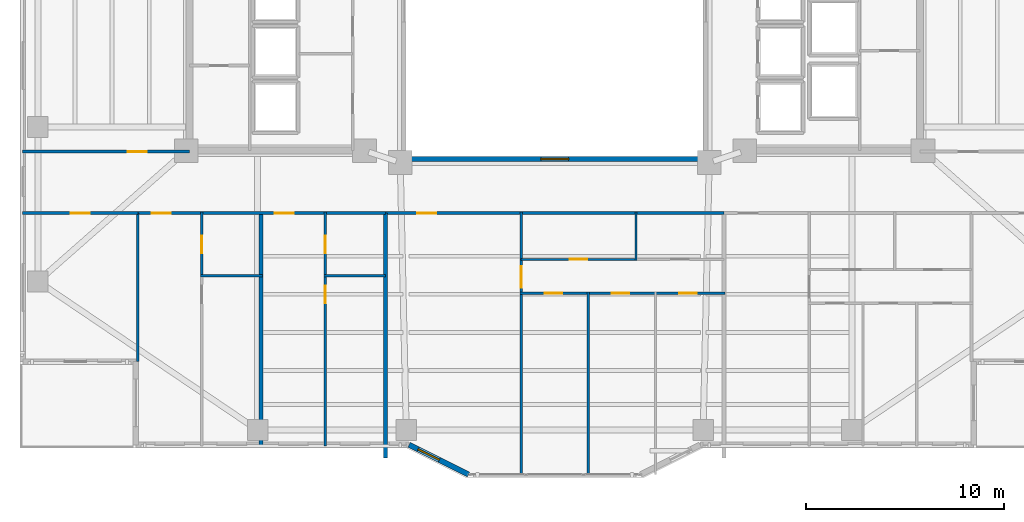
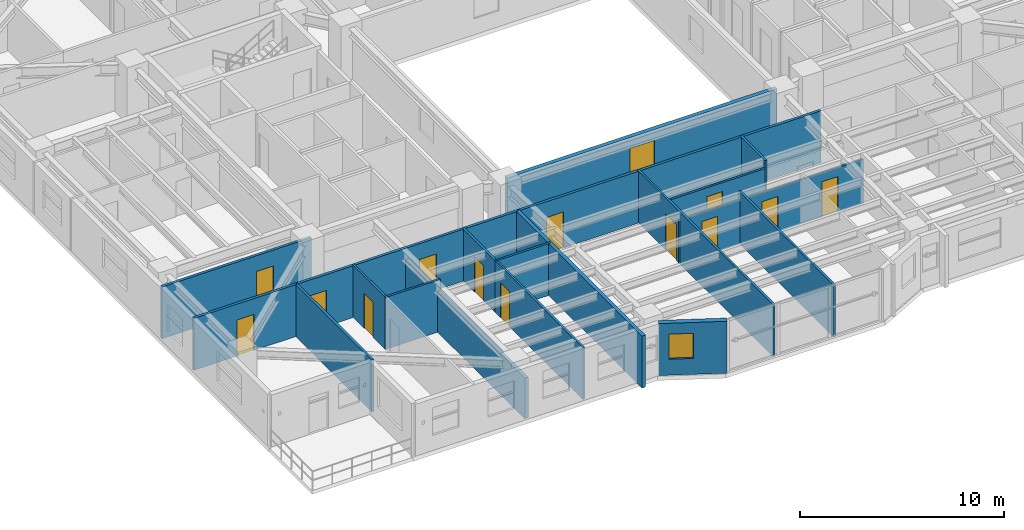
# One storey, part 6 of 19: 19 walls, 13 doors, 2 windows, 15 openings.
"""IFC4 building model written with IfcOpenShell, lengths in metres."""

from ifc_helpers import new_model, si_unit, direction, frame, frame_2d, origin, place, context, subcontext, project, spatial, rectangle, extrude, material, layer, layer_set, type_object, element, fill, save


model = new_model("IFC4")

# Units and contexts
model_context = context("Model", 3, precision=1e-05, world=origin(), true_north=direction((0.0, 1.0)))
body_context = subcontext(model_context, "Body", "Model", "MODEL_VIEW")
ifc_project = project(units=[si_unit("LENGTHUNIT", "METRE"), si_unit("AREAUNIT", "SQUARE_METRE"), si_unit("VOLUMEUNIT", "CUBIC_METRE"), si_unit("PLANEANGLEUNIT", "RADIAN"), si_unit("MASSUNIT", "GRAM", prefix="KILO")], contexts=[model_context])

# Site, building, storey
site_placement = place(None, origin())
site = spatial("IfcSite", under=ifc_project, at=site_placement, CompositionType="ELEMENT")
building_placement = place(site_placement, origin())
building = spatial("IfcBuilding", under=site, at=building_placement, Name="Tarnavaz Court Tower", CompositionType="ELEMENT")
storey_placement = place(building_placement, frame((0.0, 0.0, 78.300048828125)))
storey = spatial("IfcBuildingStorey", under=building, at=storey_placement, Name="L20", CompositionType="ELEMENT", Elevation=78.300048828125)

# Wall, opening, window
ifc_material_1 = material(Name="Precast Concrete C40/50", Category="concrete")
ifc_layer_1 = layer(ifc_material_1, 0.280029296875)
ifc_layer_set_1 = layer_set([ifc_layer_1], Name="Precast Concrete C40/50")
wall_type_1 = type_object("IfcWallType", Name="WL-EXT-280", PredefinedType="SOLIDWALL", material=ifc_layer_set_1)
wall_1_placement = place(storey_placement, frame((-4.35009765625, -23.550048828125, 0.0), z_axis=(0.0, 0.0, 1.0), x_axis=(-0.894427191, 0.4472135955, 0.0)))
wall_1 = element("IfcWall", 1, at=wall_1_placement, inside=storey, type_object=wall_type_1, Name="L20 Exterior Terracotta Facade Wall 18", PredefinedType="SOLIDWALL", context=body_context, shape_type="SweptSolid", body=[
    extrude(rectangle(XDim=3.35400390625, YDim=0.280029296875, at=frame_2d((1.677001953125, 0.0))), origin(), (0.0, 0.0, 1.0), 3.099853515625),
])
opening_1_placement = place(wall_1_placement, frame((1.65283203125, 0.0, 0.949951171875)))
opening_1 = element("IfcOpeningElement", 2, at=opening_1_placement, cuts=wall_1, Name="Opening W05", PredefinedType="OPENING", context=body_context, shape_type="SweptSolid", body=[
    extrude(rectangle(XDim=1.199951171875, YDim=1.5, at=frame_2d((0.60009765625, 0.75))), frame((0.0, 0.14990234375, 0.0), z_axis=(0.0, -1.0, 0.0), x_axis=(1.0, 0.0, 0.0)), (0.0, 0.0, 1.0), 0.300048828125),
])
ifc_material_2 = material(Name="Double-Glazed Solar Low-E Glass", Category="glass")
window_type_1 = type_object("IfcWindowType", Name="WN-APT-1200", PartitioningType="SINGLE_PANEL", PredefinedType="WINDOW", material=ifc_material_2)
window_1_placement = place(opening_1_placement, origin())
window_1 = element("IfcWindow", 3, at=window_1_placement, inside=storey, type_object=window_type_1, Name="L20 Flat 08 Living and Dining Room Window", OverallHeight=1.5, OverallWidth=1.199951171875, PartitioningType="SINGLE_PANEL", PredefinedType="WINDOW", context=body_context, shape_type="SweptSolid", body=[
    extrude(rectangle(XDim=1.199951171875, YDim=1.5, at=frame_2d((0.60009765625, 0.75))), frame((0.0, 0.030029296875, 0.0), z_axis=(0.0, -1.0, 0.0), x_axis=(1.0, 0.0, 0.0)), (0.0, 0.0, 1.0), 0.06005859375),
])
fill(opening_1, window_1)

# Wall, openings, doors
ifc_material_3 = material(Name="Gypsum Fire-Board on Acoustic Metal Stud", Category="masonry")
ifc_layer_2 = layer(ifc_material_3, 0.14990234375)
ifc_layer_set_2 = layer_set([ifc_layer_2], Name="Gypsum Fire-Board on Acoustic Metal Stud")
wall_type_2 = type_object("IfcWallType", Name="WL-FIRE-150", PredefinedType="PARTITIONING", material=ifc_layer_set_2)
wall_2_placement = place(storey_placement, frame((-21.050048828125, -10.35009765625, 0.0), z_axis=(0.0, 0.0, 1.0), x_axis=(1.0, 0.0, 0.0)))
wall_2 = element("IfcWall", 4, at=wall_2_placement, inside=storey, type_object=wall_type_2, Name="L20 SW Horseshoe Wall 073", PredefinedType="PARTITIONING", context=body_context, shape_type="SweptSolid", body=[
    extrude(rectangle(XDim=12.5, YDim=0.14990234375, at=frame_2d((6.25, 0.0))), origin(), (0.0, 0.0, 1.0), 3.099853515625),
])
opening_2_placement = place(wall_2_placement, frame((0.699951171875, 0.0, 0.0)))
opening_2 = element("IfcOpeningElement", 5, at=opening_2_placement, cuts=wall_2, Name="Opening D06", PredefinedType="OPENING", context=body_context, shape_type="SweptSolid", body=[
    extrude(rectangle(XDim=0.9599609375, YDim=2.14990234375, at=frame_2d((0.47998046875, 1.074951171875))), frame((0.0, 0.0849609375, 0.0), z_axis=(0.0, -1.0, 0.0), x_axis=(1.0, 0.0, 0.0)), (0.0, 0.0, 1.0), 0.169921875),
])
opening_3_placement = place(wall_2_placement, frame((6.925048828125, 0.0, 0.0)))
opening_3 = element("IfcOpeningElement", 6, at=opening_3_placement, cuts=wall_2, Name="Opening D06", PredefinedType="OPENING", context=body_context, shape_type="SweptSolid", body=[
    extrude(rectangle(XDim=0.9599609375, YDim=2.14990234375, at=frame_2d((0.47998046875, 1.074951171875))), frame((0.0, 0.0849609375, 0.0), z_axis=(0.0, -1.0, 0.0), x_axis=(1.0, 0.0, 0.0)), (0.0, 0.0, 1.0), 0.169921875),
])
ifc_material_4 = material(Name="Fire-Rated Hardwood Timber Core", Category="wood")
door_type_1 = type_object("IfcDoorType", Name="DR-FD60-950", OperationType="NOTDEFINED", PredefinedType="DOOR", material=ifc_material_4)
door_1_placement = place(opening_2_placement, origin())
door_1 = element("IfcDoor", 7, at=door_1_placement, inside=storey, type_object=door_type_1, Name="L20 Flat 05 Entrance Door", OperationType="SINGLE_SWING_LEFT", OverallHeight=2.14990234375, OverallWidth=0.9599609375, PredefinedType="DOOR", context=body_context, shape_type="SweptSolid", body=[
    extrude(rectangle(XDim=0.9599609375, YDim=2.14990234375, at=frame_2d((0.47998046875, 1.074951171875))), frame((0.0, 0.02490234375, 0.0), z_axis=(0.0, -1.0, 0.0), x_axis=(1.0, 0.0, 0.0)), (0.0, 0.0, 1.0), 0.050048828125),
])
fill(opening_2, door_1)
door_2_placement = place(opening_3_placement, origin())
door_2 = element("IfcDoor", 8, at=door_2_placement, inside=storey, type_object=door_type_1, Name="L20 Flat 06 Entrance Door", OperationType="SINGLE_SWING_RIGHT", OverallHeight=2.14990234375, OverallWidth=0.9599609375, PredefinedType="DOOR", context=body_context, shape_type="SweptSolid", body=[
    extrude(rectangle(XDim=0.9599609375, YDim=2.14990234375, at=frame_2d((0.47998046875, 1.074951171875))), frame((0.0, 0.02490234375, 0.0), z_axis=(0.0, -1.0, 0.0), x_axis=(1.0, 0.0, 0.0)), (0.0, 0.0, 1.0), 0.050048828125),
])
fill(opening_3, door_2)

# Wall, opening, door
wall_3_placement = place(storey_placement, frame((-8.550048828125, -10.35009765625, 0.0), z_axis=(0.0, 0.0, 1.0), x_axis=(1.0, 0.0, 0.0)))
wall_3 = element("IfcWall", 9, at=wall_3_placement, inside=storey, type_object=wall_type_2, Name="L20 Interior Partition 114", PredefinedType="PARTITIONING", context=body_context, shape_type="SweptSolid", body=[
    extrude(rectangle(XDim=17.10009765625, YDim=0.14990234375, at=frame_2d((8.550048828125, 0.0))), origin(), (0.0, 0.0, 1.0), 3.099853515625),
])
opening_4_placement = place(wall_3_placement, frame((1.60009765625, 0.0, 0.0)))
opening_4 = element("IfcOpeningElement", 10, at=opening_4_placement, cuts=wall_3, Name="Opening D06", PredefinedType="OPENING", context=body_context, shape_type="SweptSolid", body=[
    extrude(rectangle(XDim=0.9599609375, YDim=2.14990234375, at=frame_2d((0.47998046875, 1.074951171875))), frame((0.0, 0.0849609375, 0.0), z_axis=(0.0, -1.0, 0.0), x_axis=(1.0, 0.0, 0.0)), (0.0, 0.0, 1.0), 0.169921875),
])
door_3_placement = place(opening_4_placement, origin())
door_3 = element("IfcDoor", 11, at=door_3_placement, inside=storey, type_object=door_type_1, Name="L20 Flat 08 Entrance Door", OperationType="SINGLE_SWING_RIGHT", OverallHeight=2.14990234375, OverallWidth=0.9599609375, PredefinedType="DOOR", context=body_context, shape_type="SweptSolid", body=[
    extrude(rectangle(XDim=0.9599609375, YDim=2.14990234375, at=frame_2d((0.47998046875, 1.074951171875))), frame((0.0, 0.02490234375, 0.0), z_axis=(0.0, -1.0, 0.0), x_axis=(1.0, 0.0, 0.0)), (0.0, 0.0, 1.0), 0.050048828125),
])
fill(opening_4, door_3)

wall_4_placement = place(storey_placement, frame((-26.8798828125, -7.25, 0.0), z_axis=(0.0, 0.0, 1.0), x_axis=(1.0, 0.0, 0.0)))
wall_4 = element("IfcWall", 12, at=wall_4_placement, inside=storey, type_object=wall_type_2, Name="L20 Interior Partition 122", PredefinedType="PARTITIONING", context=body_context, shape_type="SweptSolid", body=[
    extrude(rectangle(XDim=8.429931640625, YDim=0.14990234375, at=frame_2d((4.21484375, 0.0))), origin(), (0.0, 0.0, 1.0), 3.099853515625),
])
opening_5_placement = place(wall_4_placement, frame((5.330078125, 0.0, 0.0)))
opening_5 = element("IfcOpeningElement", 13, at=opening_5_placement, cuts=wall_4, Name="Opening D06", PredefinedType="OPENING", context=body_context, shape_type="SweptSolid", body=[
    extrude(rectangle(XDim=0.9599609375, YDim=2.14990234375, at=frame_2d((0.47998046875, 1.074951171875))), frame((0.0, 0.0849609375, 0.0), z_axis=(0.0, -1.0, 0.0), x_axis=(1.0, 0.0, 0.0)), (0.0, 0.0, 1.0), 0.169921875),
])
door_4_placement = place(opening_5_placement, origin())
door_4 = element("IfcDoor", 14, at=door_4_placement, inside=storey, type_object=door_type_1, Name="L20 Flat 09 Entrance Door", OperationType="SINGLE_SWING_LEFT", OverallHeight=2.14990234375, OverallWidth=0.9599609375, PredefinedType="DOOR", context=body_context, shape_type="SweptSolid", body=[
    extrude(rectangle(XDim=0.9599609375, YDim=2.14990234375, at=frame_2d((0.47998046875, 1.074951171875))), frame((0.0, 0.02490234375, 0.0), z_axis=(0.0, -1.0, 0.0), x_axis=(1.0, 0.0, 0.0)), (0.0, 0.0, 1.0), 0.050048828125),
])
fill(opening_5, door_4)

wall_5_placement = place(storey_placement, frame((-26.8798828125, -10.35009765625, 0.0), z_axis=(0.0, 0.0, 1.0), x_axis=(1.0, 0.0, 0.0)))
wall_5 = element("IfcWall", 15, at=wall_5_placement, inside=storey, type_object=wall_type_2, Name="L20 Interior Partition 132", PredefinedType="PARTITIONING", context=body_context, shape_type="SweptSolid", body=[
    extrude(rectangle(XDim=5.829833984375, YDim=0.14990234375, at=frame_2d((2.9150390625, 0.0))), origin(), (0.0, 0.0, 1.0), 3.099853515625),
])
opening_6_placement = place(wall_5_placement, frame((2.43994140625, 0.0, 0.0)))
opening_6 = element("IfcOpeningElement", 16, at=opening_6_placement, cuts=wall_5, Name="Opening D13", PredefinedType="OPENING", context=body_context, shape_type="SweptSolid", body=[
    extrude(rectangle(XDim=0.949951171875, YDim=2.14990234375, at=frame_2d((0.47509765625, 1.074951171875))), frame((0.0, 0.0849609375, 0.0), z_axis=(0.0, -1.0, 0.0), x_axis=(1.0, 0.0, 0.0)), (0.0, 0.0, 1.0), 0.169921875),
])
ifc_material_5 = material(Name="Engineered Oak Timber", Category="wood")
door_type_2 = type_object("IfcDoorType", Name="DR-INT-950", OperationType="NOTDEFINED", PredefinedType="DOOR", material=ifc_material_5)
door_5_placement = place(opening_6_placement, origin())
door_5 = element("IfcDoor", 17, at=door_5_placement, inside=storey, type_object=door_type_2, Name="L20 SW Reading Room Door", OperationType="SINGLE_SWING_LEFT", OverallHeight=2.14990234375, OverallWidth=0.949951171875, PredefinedType="DOOR", context=body_context, shape_type="SweptSolid", body=[
    extrude(rectangle(XDim=0.949951171875, YDim=2.14990234375, at=frame_2d((0.47509765625, 1.074951171875))), frame((0.0, 0.02490234375, 0.0), z_axis=(0.0, -1.0, 0.0), x_axis=(1.0, 0.0, 0.0)), (0.0, 0.0, 1.0), 0.050048828125),
])
fill(opening_6, door_5)

# Walls
ifc_material_6 = material(Name="Autoclaved Aerated Concrete Blockwork", Category="masonry")
ifc_layer_3 = layer(ifc_material_6, 0.199951171875)
ifc_layer_set_3 = layer_set([ifc_layer_3], Name="Autoclaved Aerated Concrete Blockwork")
wall_type_3 = type_object("IfcWallType", Name="WL-FIRE-200", PredefinedType="SOLIDWALL", material=ifc_layer_set_3)
wall_6_placement = place(storey_placement, frame((-14.824951171875, -22.10009765625, 0.0), z_axis=(0.0, 0.0, 1.0), x_axis=(0.0, 1.0, 0.0)))
element("IfcWall", 18, at=wall_6_placement, inside=storey, type_object=wall_type_3, Name="L20 Party Wall 098", PredefinedType="SOLIDWALL", context=body_context, shape_type="SweptSolid", body=[
    extrude(rectangle(XDim=11.75, YDim=0.199951171875, at=frame_2d((5.875, 0.0))), origin(), (0.0, 0.0, 1.0), 2.43505859375),
])
wall_7_placement = place(storey_placement, frame((-8.550048828125, -22.7041015625, 0.0), z_axis=(0.0, 0.0, 1.0), x_axis=(0.0, 1.0, 0.0)))
element("IfcWall", 19, at=wall_7_placement, inside=storey, type_object=wall_type_3, Name="L20 Party Wall 112", PredefinedType="SOLIDWALL", context=body_context, shape_type="SweptSolid", body=[
    extrude(rectangle(XDim=12.35400390625, YDim=0.199951171875, at=frame_2d((6.177001953125, 0.0))), origin(), (0.0, 0.0, 1.0), 3.099853515625),
])

# Wall, opening, door
ifc_material_7 = material(Name="Moisture-Resistant Gypsum Board Partition", Category="masonry")
ifc_layer_4 = layer(ifc_material_7, 0.1201171875)
ifc_layer_set_4 = layer_set([ifc_layer_4], Name="Moisture-Resistant Gypsum Board Partition")
wall_type_4 = type_object("IfcWallType", Name="WL-PART-120", PredefinedType="PARTITIONING", material=ifc_layer_set_4)
wall_8_placement = place(storey_placement, frame((-17.81494140625, -13.510009765625, 0.0), z_axis=(0.0, 0.0, 1.0), x_axis=(0.0, 1.0, 0.0)))
wall_8 = element("IfcWall", 20, at=wall_8_placement, inside=storey, type_object=wall_type_4, Name="L20 Interior Partition 100", PredefinedType="PARTITIONING", context=body_context, shape_type="SweptSolid", body=[
    extrude(rectangle(XDim=3.219970703125, YDim=0.1201171875, at=frame_2d((1.60986328125, 0.0))), origin(), (0.0, 0.0, 1.0), 3.099853515625),
])
opening_7_placement = place(wall_8_placement, frame((1.139892578125, 0.0, 0.0)))
opening_7 = element("IfcOpeningElement", 21, at=opening_7_placement, cuts=wall_8, Name="Opening D14", PredefinedType="OPENING", context=body_context, shape_type="SweptSolid", body=[
    extrude(rectangle(XDim=0.8798828125, YDim=2.10009765625, at=frame_2d((0.43994140625, 1.050048828125))), frame((0.0, 0.070068359375, 0.0), z_axis=(0.0, -1.0, 0.0), x_axis=(1.0, 0.0, 0.0)), (0.0, 0.0, 1.0), 0.14013671875),
])
door_type_3 = type_object("IfcDoorType", Name="DR-INT-900", OperationType="NOTDEFINED", PredefinedType="DOOR", material=ifc_material_5)
door_6_placement = place(opening_7_placement, origin())
door_6 = element("IfcDoor", 22, at=door_6_placement, inside=storey, type_object=door_type_3, Name="L20 Flat 05 Bathroom Door", OperationType="SINGLE_SWING_LEFT", OverallHeight=2.10009765625, OverallWidth=0.8798828125, PredefinedType="DOOR", context=body_context, shape_type="SweptSolid", body=[
    extrude(rectangle(XDim=0.8798828125, YDim=2.10009765625, at=frame_2d((0.43994140625, 1.050048828125))), frame((0.0, 0.02490234375, 0.0), z_axis=(0.0, -1.0, 0.0), x_axis=(1.0, 0.0, 0.0)), (0.0, 0.0, 1.0), 0.050048828125),
])
fill(opening_7, door_6)

# Wall
wall_9_placement = place(storey_placement, frame((-17.875, -13.510009765625, 0.0), z_axis=(0.0, 0.0, 1.0), x_axis=(1.0, 0.0, 0.0)))
element("IfcWall", 23, at=wall_9_placement, inside=storey, type_object=wall_type_4, Name="L20 Interior Partition 101", PredefinedType="PARTITIONING", context=body_context, shape_type="SweptSolid", body=[
    extrude(rectangle(XDim=3.110107421875, YDim=0.1201171875, at=frame_2d((1.55517578125, 0.0))), origin(), (0.0, 0.0, 1.0), 3.099853515625),
])

# Wall, opening, door
wall_10_placement = place(storey_placement, frame((-11.590087890625, -22.10009765625, 0.0), z_axis=(0.0, 0.0, 1.0), x_axis=(0.0, 1.0, 0.0)))
wall_10 = element("IfcWall", 24, at=wall_10_placement, inside=storey, type_object=wall_type_4, Name="L20 Interior Partition 102", PredefinedType="PARTITIONING", context=body_context, shape_type="SweptSolid", body=[
    extrude(rectangle(XDim=8.590087890625, YDim=0.1201171875, at=frame_2d((4.294921875, 0.0))), origin(), (0.0, 0.0, 1.0), 3.099853515625),
])
opening_8_placement = place(wall_10_placement, frame((7.18994140625, 0.0, 0.0)))
opening_8 = element("IfcOpeningElement", 25, at=opening_8_placement, cuts=wall_10, Name="Opening D14", PredefinedType="OPENING", context=body_context, shape_type="SweptSolid", body=[
    extrude(rectangle(XDim=0.8798828125, YDim=2.10009765625, at=frame_2d((0.43994140625, 1.050048828125))), frame((0.0, 0.070068359375, 0.0), z_axis=(0.0, -1.0, 0.0), x_axis=(1.0, 0.0, 0.0)), (0.0, 0.0, 1.0), 0.14013671875),
])
door_7_placement = place(opening_8_placement, origin())
door_7 = element("IfcDoor", 26, at=door_7_placement, inside=storey, type_object=door_type_3, Name="L20 Flat 06 Kitchen Door", OperationType="SINGLE_SWING_LEFT", OverallHeight=2.10009765625, OverallWidth=0.8798828125, PredefinedType="DOOR", context=body_context, shape_type="SweptSolid", body=[
    extrude(rectangle(XDim=0.8798828125, YDim=2.10009765625, at=frame_2d((0.43994140625, 1.050048828125))), frame((0.0, 0.02490234375, 0.0), z_axis=(0.0, -1.0, 0.0), x_axis=(1.0, 0.0, 0.0)), (0.0, 0.0, 1.0), 0.050048828125),
])
fill(opening_8, door_7)

wall_11_placement = place(storey_placement, frame((-11.590087890625, -13.510009765625, 0.0), z_axis=(0.0, 0.0, 1.0), x_axis=(0.0, 1.0, 0.0)))
wall_11 = element("IfcWall", 27, at=wall_11_placement, inside=storey, type_object=wall_type_4, Name="L20 Interior Partition 103", PredefinedType="PARTITIONING", context=body_context, shape_type="SweptSolid", body=[
    extrude(rectangle(XDim=3.219970703125, YDim=0.1201171875, at=frame_2d((1.60986328125, 0.0))), origin(), (0.0, 0.0, 1.0), 3.099853515625),
])
opening_9_placement = place(wall_11_placement, frame((1.139892578125, 0.0, 0.0)))
opening_9 = element("IfcOpeningElement", 28, at=opening_9_placement, cuts=wall_11, Name="Opening D14", PredefinedType="OPENING", context=body_context, shape_type="SweptSolid", body=[
    extrude(rectangle(XDim=0.8798828125, YDim=2.10009765625, at=frame_2d((0.43994140625, 1.050048828125))), frame((0.0, 0.070068359375, 0.0), z_axis=(0.0, -1.0, 0.0), x_axis=(1.0, 0.0, 0.0)), (0.0, 0.0, 1.0), 0.14013671875),
])
door_8_placement = place(opening_9_placement, origin())
door_8 = element("IfcDoor", 29, at=door_8_placement, inside=storey, type_object=door_type_3, Name="L20 Flat 06 Bathroom Door", OperationType="SINGLE_SWING_RIGHT", OverallHeight=2.10009765625, OverallWidth=0.8798828125, PredefinedType="DOOR", context=body_context, shape_type="SweptSolid", body=[
    extrude(rectangle(XDim=0.8798828125, YDim=2.10009765625, at=frame_2d((0.43994140625, 1.050048828125))), frame((0.0, 0.02490234375, 0.0), z_axis=(0.0, -1.0, 0.0), x_axis=(1.0, 0.0, 0.0)), (0.0, 0.0, 1.0), 0.050048828125),
])
fill(opening_9, door_8)

# Wall
wall_12_placement = place(storey_placement, frame((-11.64990234375, -13.510009765625, 0.0), z_axis=(0.0, 0.0, 1.0), x_axis=(1.0, 0.0, 0.0)))
element("IfcWall", 30, at=wall_12_placement, inside=storey, type_object=wall_type_4, Name="L20 Interior Partition 104", PredefinedType="PARTITIONING", context=body_context, shape_type="SweptSolid", body=[
    extrude(rectangle(XDim=3.10986328125, YDim=0.1201171875, at=frame_2d((1.554931640625, 0.0))), origin(), (0.0, 0.0, 1.0), 3.099853515625),
])

# Wall, opening, door
wall_13_placement = place(storey_placement, frame((-1.696044921875, -23.580078125, 0.0), z_axis=(0.0, 0.0, 1.0), x_axis=(0.0, 1.0, 0.0)))
wall_13 = element("IfcWall", 31, at=wall_13_placement, inside=storey, type_object=wall_type_4, Name="L20 Interior Partition 115", PredefinedType="PARTITIONING", context=body_context, shape_type="SweptSolid", body=[
    extrude(rectangle(XDim=13.2900390625, YDim=0.1201171875, at=frame_2d((6.64501953125, 0.0))), origin(), (0.0, 0.0, 1.0), 3.099853515625),
])
opening_10_placement = place(wall_13_placement, frame((9.465087890625, 0.0, 0.0)))
opening_10 = element("IfcOpeningElement", 32, at=opening_10_placement, cuts=wall_13, Name="Opening D12", PredefinedType="OPENING", context=body_context, shape_type="SweptSolid", body=[
    extrude(rectangle(XDim=1.080078125, YDim=2.14990234375, at=frame_2d((0.5400390625, 1.074951171875))), frame((0.0, 0.070068359375, 0.0), z_axis=(0.0, -1.0, 0.0), x_axis=(1.0, 0.0, 0.0)), (0.0, 0.0, 1.0), 0.14013671875),
])
door_type_4 = type_object("IfcDoorType", Name="DR-INT-1100", OperationType="NOTDEFINED", PredefinedType="DOOR", material=ifc_material_5)
door_9_placement = place(opening_10_placement, origin())
door_9 = element("IfcDoor", 33, at=door_9_placement, inside=storey, type_object=door_type_4, Name="L20 Flat 08 Foyer Door", OperationType="SINGLE_SWING_LEFT", OverallHeight=2.14990234375, OverallWidth=1.080078125, PredefinedType="DOOR", context=body_context, shape_type="SweptSolid", body=[
    extrude(rectangle(XDim=1.080078125, YDim=2.14990234375, at=frame_2d((0.5400390625, 1.074951171875))), frame((0.0, 0.02490234375, 0.0), z_axis=(0.0, -1.0, 0.0), x_axis=(1.0, 0.0, 0.0)), (0.0, 0.0, 1.0), 0.050048828125),
])
fill(opening_10, door_9)

wall_14_placement = place(storey_placement, frame((-1.696044921875, -12.68994140625, 0.0), z_axis=(0.0, 0.0, 1.0), x_axis=(1.0, 0.0, 0.0)))
wall_14 = element("IfcWall", 34, at=wall_14_placement, inside=storey, type_object=wall_type_4, Name="L20 Interior Partition 116", PredefinedType="PARTITIONING", context=body_context, shape_type="SweptSolid", body=[
    extrude(rectangle(XDim=5.800048828125, YDim=0.1201171875, at=frame_2d((2.89990234375, 0.0))), origin(), (0.0, 0.0, 1.0), 2.635009765625),
])
opening_11_placement = place(wall_14_placement, frame((2.4599609375, 0.0, 0.0)))
opening_11 = element("IfcOpeningElement", 35, at=opening_11_placement, cuts=wall_14, Name="Opening D14", PredefinedType="OPENING", context=body_context, shape_type="SweptSolid", body=[
    extrude(rectangle(XDim=0.8798828125, YDim=2.10009765625, at=frame_2d((0.43994140625, 1.050048828125))), frame((0.0, 0.070068359375, 0.0), z_axis=(0.0, -1.0, 0.0), x_axis=(1.0, 0.0, 0.0)), (0.0, 0.0, 1.0), 0.14013671875),
])
door_10_placement = place(opening_11_placement, origin())
door_10 = element("IfcDoor", 36, at=door_10_placement, inside=storey, type_object=door_type_3, Name="L20 Flat 08 Kitchen Door", OperationType="SINGLE_SWING_RIGHT", OverallHeight=2.10009765625, OverallWidth=0.8798828125, PredefinedType="DOOR", context=body_context, shape_type="SweptSolid", body=[
    extrude(rectangle(XDim=0.8798828125, YDim=2.10009765625, at=frame_2d((0.43994140625, 1.050048828125))), frame((0.0, 0.02490234375, 0.0), z_axis=(0.0, -1.0, 0.0), x_axis=(1.0, 0.0, 0.0)), (0.0, 0.0, 1.0), 0.050048828125),
])
fill(opening_11, door_10)

# Wall, openings, doors
wall_15_placement = place(storey_placement, frame((-1.756103515625, -14.39990234375, 0.0), z_axis=(0.0, 0.0, 1.0), x_axis=(1.0, 0.0, 0.0)))
wall_15 = element("IfcWall", 37, at=wall_15_placement, inside=storey, type_object=wall_type_4, Name="L20 Interior Partition 118", PredefinedType="PARTITIONING", context=body_context, shape_type="SweptSolid", body=[
    extrude(rectangle(XDim=10.3662109375, YDim=0.1201171875, at=frame_2d((5.18310546875, 0.0))), origin(), (0.0, 0.0, 1.0), 2.635009765625),
])
opening_12_placement = place(wall_15_placement, frame((1.256103515625, 0.0, 0.0)))
opening_12 = element("IfcOpeningElement", 38, at=opening_12_placement, cuts=wall_15, Name="Opening D14", PredefinedType="OPENING", context=body_context, shape_type="SweptSolid", body=[
    extrude(rectangle(XDim=0.8798828125, YDim=2.10009765625, at=frame_2d((0.43994140625, 1.050048828125))), frame((0.0, 0.070068359375, 0.0), z_axis=(0.0, -1.0, 0.0), x_axis=(1.0, 0.0, 0.0)), (0.0, 0.0, 1.0), 0.14013671875),
])
opening_13_placement = place(wall_15_placement, frame((4.64794921875, 0.0, 0.0)))
opening_13 = element("IfcOpeningElement", 39, at=opening_13_placement, cuts=wall_15, Name="Opening D14", PredefinedType="OPENING", context=body_context, shape_type="SweptSolid", body=[
    extrude(rectangle(XDim=0.8798828125, YDim=2.10009765625, at=frame_2d((0.43994140625, 1.050048828125))), frame((0.0, 0.070068359375, 0.0), z_axis=(0.0, -1.0, 0.0), x_axis=(1.0, 0.0, 0.0)), (0.0, 0.0, 1.0), 0.14013671875),
])
opening_14_placement = place(wall_15_placement, frame((8.0400390625, 0.0, 0.0)))
opening_14 = element("IfcOpeningElement", 40, at=opening_14_placement, cuts=wall_15, Name="Opening D14", PredefinedType="OPENING", context=body_context, shape_type="SweptSolid", body=[
    extrude(rectangle(XDim=0.8798828125, YDim=2.10009765625, at=frame_2d((0.43994140625, 1.050048828125))), frame((0.0, 0.070068359375, 0.0), z_axis=(0.0, -1.0, 0.0), x_axis=(1.0, 0.0, 0.0)), (0.0, 0.0, 1.0), 0.14013671875),
])
door_11_placement = place(opening_12_placement, origin())
door_11 = element("IfcDoor", 41, at=door_11_placement, inside=storey, type_object=door_type_3, Name="L20 Flat 08 Bedroom 1 Door", OperationType="SINGLE_SWING_RIGHT", OverallHeight=2.10009765625, OverallWidth=0.8798828125, PredefinedType="DOOR", context=body_context, shape_type="SweptSolid", body=[
    extrude(rectangle(XDim=0.8798828125, YDim=2.10009765625, at=frame_2d((0.43994140625, 1.050048828125))), frame((0.0, 0.02490234375, 0.0), z_axis=(0.0, -1.0, 0.0), x_axis=(1.0, 0.0, 0.0)), (0.0, 0.0, 1.0), 0.050048828125),
])
fill(opening_12, door_11)
door_12_placement = place(opening_13_placement, origin())
door_12 = element("IfcDoor", 42, at=door_12_placement, inside=storey, type_object=door_type_3, Name="L20 Flat 08 Bedroom 2 Door", OperationType="SINGLE_SWING_LEFT", OverallHeight=2.10009765625, OverallWidth=0.8798828125, PredefinedType="DOOR", context=body_context, shape_type="SweptSolid", body=[
    extrude(rectangle(XDim=0.8798828125, YDim=2.10009765625, at=frame_2d((0.43994140625, 1.050048828125))), frame((0.0, 0.02490234375, 0.0), z_axis=(0.0, -1.0, 0.0), x_axis=(1.0, 0.0, 0.0)), (0.0, 0.0, 1.0), 0.050048828125),
])
fill(opening_13, door_12)
door_13_placement = place(opening_14_placement, origin())
door_13 = element("IfcDoor", 43, at=door_13_placement, inside=storey, type_object=door_type_3, Name="L20 Flat 08 Bedroom 3 Door", OperationType="SINGLE_SWING_RIGHT", OverallHeight=2.10009765625, OverallWidth=0.8798828125, PredefinedType="DOOR", context=body_context, shape_type="SweptSolid", body=[
    extrude(rectangle(XDim=0.8798828125, YDim=2.10009765625, at=frame_2d((0.43994140625, 1.050048828125))), frame((0.0, 0.02490234375, 0.0), z_axis=(0.0, -1.0, 0.0), x_axis=(1.0, 0.0, 0.0)), (0.0, 0.0, 1.0), 0.050048828125),
])
fill(opening_14, door_13)

# Walls
wall_16_placement = place(storey_placement, frame((4.10400390625, -12.75, 0.0), z_axis=(0.0, 0.0, 1.0), x_axis=(0.0, 1.0, 0.0)))
element("IfcWall", 44, at=wall_16_placement, inside=storey, type_object=wall_type_4, Name="L20 Interior Partition 119", PredefinedType="PARTITIONING", context=body_context, shape_type="SweptSolid", body=[
    extrude(rectangle(XDim=2.4599609375, YDim=0.1201171875, at=frame_2d((1.22998046875, 0.0))), origin(), (0.0, 0.0, 1.0), 3.099853515625),
])
wall_17_placement = place(storey_placement, frame((1.696044921875, -23.580078125, 0.0), z_axis=(0.0, 0.0, 1.0), x_axis=(0.0, 1.0, 0.0)))
element("IfcWall", 45, at=wall_17_placement, inside=storey, type_object=wall_type_4, Name="L20 Interior Partition 120", PredefinedType="PARTITIONING", context=body_context, shape_type="SweptSolid", body=[
    extrude(rectangle(XDim=9.239990234375, YDim=0.1201171875, at=frame_2d((4.6201171875, 0.0))), origin(), (0.0, 0.0, 1.0), 3.099853515625),
])
ifc_material_8 = material(Name="Gypsum Plasterboard Acoustic Partition", Category="masonry")
ifc_layer_5 = layer(ifc_material_8, 0.139892578125)
ifc_layer_set_5 = layer_set([ifc_layer_5], Name="Gypsum Plasterboard Acoustic Partition")
wall_type_5 = type_object("IfcWallType", Name="WL-PART-150", PredefinedType="PARTITIONING", material=ifc_layer_set_5)
wall_18_placement = place(storey_placement, frame((-21.050048828125, -17.85009765625, 0.0), z_axis=(0.0, 0.0, 1.0), x_axis=(0.0, 1.0, 0.0)))
element("IfcWall", 46, at=wall_18_placement, inside=storey, type_object=wall_type_5, Name="L20 Interior Partition 126", PredefinedType="PARTITIONING", context=body_context, shape_type="SweptSolid", body=[
    extrude(rectangle(XDim=7.5, YDim=0.139892578125, at=frame_2d((3.75, 0.0))), origin(), (0.0, 0.0, 1.0), 3.099853515625),
])

# Wall, opening, window
ifc_layer_6 = layer(ifc_material_1, 0.239990234375)
ifc_layer_set_6 = layer_set([ifc_layer_6], Name="Precast Concrete C40/50")
wall_type_6 = type_object("IfcWallType", Name="WL-WELL-240", PredefinedType="SOLIDWALL", material=ifc_layer_set_6)
wall_19_placement = place(storey_placement, frame((-7.6201171875, -7.6201171875, 0.0), z_axis=(0.0, 0.0, 1.0), x_axis=(1.0, 0.0, 0.0)))
wall_19 = element("IfcWall", 47, at=wall_19_placement, inside=storey, type_object=wall_type_6, Name="L20 Badgir Light-Well Exterior Wall S", PredefinedType="SOLIDWALL", context=body_context, shape_type="SweptSolid", body=[
    extrude(rectangle(XDim=15.240234375, YDim=0.239990234375, at=frame_2d((7.6201171875, 0.0))), origin(), (0.0, 0.0, 1.0), 3.099853515625),
])
opening_15_placement = place(wall_19_placement, frame((6.919921875, 0.0, 0.949951171875)))
opening_15 = element("IfcOpeningElement", 48, at=opening_15_placement, cuts=wall_19, Name="Opening W13", PredefinedType="OPENING", context=body_context, shape_type="SweptSolid", body=[
    extrude(rectangle(XDim=1.39990234375, YDim=1.5, at=frame_2d((0.699951171875, 0.75))), frame((0.0, 0.1298828125, 0.0), z_axis=(0.0, -1.0, 0.0), x_axis=(1.0, 0.0, 0.0)), (0.0, 0.0, 1.0), 0.260009765625),
])
window_type_2 = type_object("IfcWindowType", Name="WN-WEL-1400", PartitioningType="SINGLE_PANEL", PredefinedType="WINDOW", material=ifc_material_2)
window_2_placement = place(opening_15_placement, origin())
window_2 = element("IfcWindow", 49, at=window_2_placement, inside=storey, type_object=window_type_2, Name="L20 Courtyard Gallery Window S", OverallHeight=1.5, OverallWidth=1.39990234375, PartitioningType="SINGLE_PANEL", PredefinedType="WINDOW", context=body_context, shape_type="SweptSolid", body=[
    extrude(rectangle(XDim=1.39990234375, YDim=1.5, at=frame_2d((0.699951171875, 0.75))), frame((0.0, 0.030029296875, 0.0), z_axis=(0.0, -1.0, 0.0), x_axis=(1.0, 0.0, 0.0)), (0.0, 0.0, 1.0), 0.06005859375),
])
fill(opening_15, window_2)

save(model, "model.ifc")
